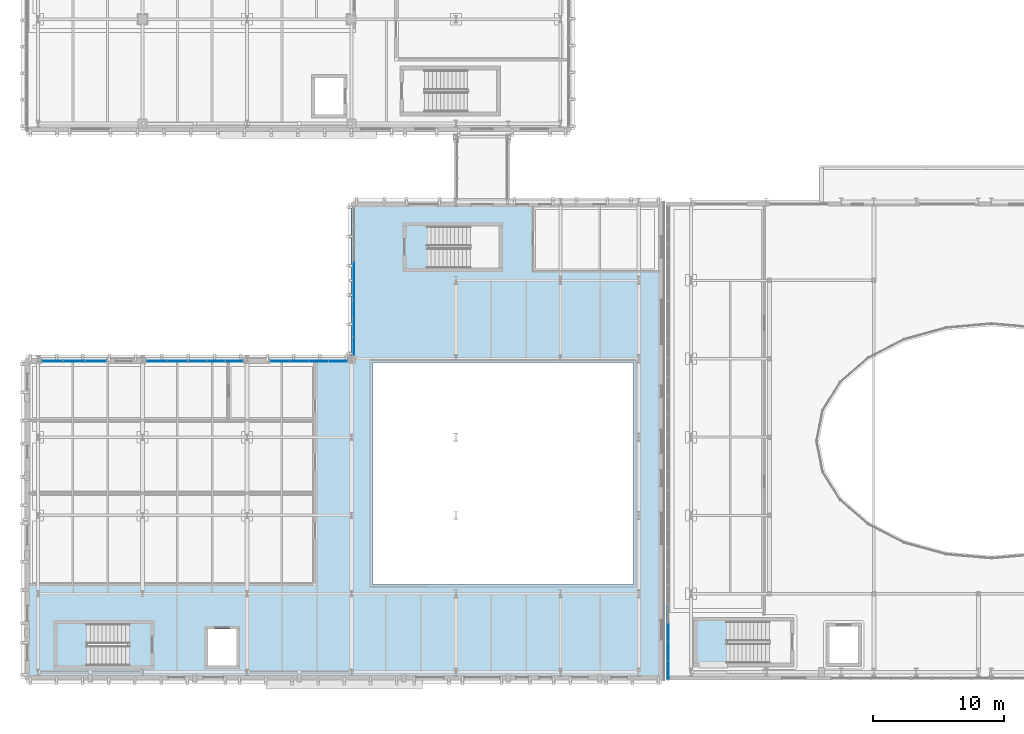
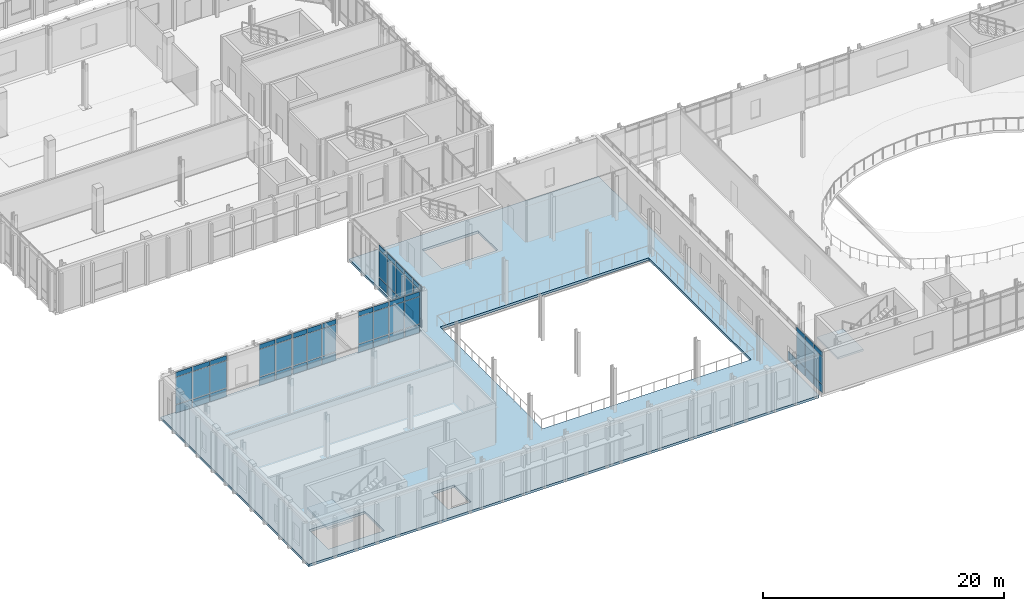
# One storey, part 47 of 100: 61 plates, 3 slabs, 8 elements without a shape of their own.
"""IFC4 building model written with IfcOpenShell, lengths in metres."""

from ifc_helpers import new_model, si_unit, direction, frame, origin, origin_2d, place, context, subcontext, project, spatial, polyline, rectangle, outline, extrude, material, layer, layer_set, type_object, element, aggregate, save


model = new_model("IFC4")

# Units and contexts
model_context = context("Model", 3, precision=1e-05, world=origin(), true_north=direction((0.0, 1.0)))
body_context = subcontext(model_context, "Body", "Model", "MODEL_VIEW")
ifc_project = project(units=[si_unit("LENGTHUNIT", "METRE"), si_unit("AREAUNIT", "SQUARE_METRE"), si_unit("VOLUMEUNIT", "CUBIC_METRE"), si_unit("PLANEANGLEUNIT", "RADIAN"), si_unit("MASSUNIT", "GRAM", prefix="KILO")], contexts=[model_context])

# Site, building, storey
site_placement = place(None, origin())
site = spatial("IfcSite", under=ifc_project, at=site_placement, CompositionType="ELEMENT")
building_placement = place(site_placement, origin())
building = spatial("IfcBuilding", under=site, at=building_placement, Name="Cymarion Research Institute", CompositionType="ELEMENT")
storey_placement = place(building_placement, frame((0.0, 0.0, 4.800048828125)))
storey = spatial("IfcBuildingStorey", under=building, at=storey_placement, Name="L01", CompositionType="ELEMENT", Elevation=4.800048828125)

# Slab
ifc_material_1 = material(Name="Concrete C35/45", Category="concrete")
ifc_layer_1 = layer(ifc_material_1, 0.25)
ifc_layer_set_1 = layer_set([ifc_layer_1], Name="Concrete C35/45")
slab_type_1 = type_object("IfcSlabType", Name="COMPOSITE FLOOR SLAB SL-FL250 250MM", PredefinedType="FLOOR", material=ifc_layer_set_1)
slab_1_placement = place(storey_placement, frame((0.0, 0.0, -0.25)))
element("IfcSlab", 1, at=slab_1_placement, inside=storey, type_object=slab_type_1, Name="L01 V3 floor slab", PredefinedType="FLOOR", context=body_context, shape_type="SweptSolid", body=[
    extrude(outline(polyline([(5.60009765625, 4.89990234375), (54.5, 4.89990234375), (54.5, 41.5), (30.60009765625, 41.5), (30.60009765625, 29.5), (5.60009765625, 29.5), (5.60009765625, 4.89990234375)]), holes=[polyline([(13.4599609375, 9.199951171875), (8.10009765625, 9.199951171875), (8.10009765625, 6.0), (13.4599609375, 6.0), (13.4599609375, 9.199951171875)]), polyline([(19.60009765625, 6.0), (21.800048828125, 6.0), (21.800048828125, 8.800048828125), (19.60009765625, 8.800048828125), (19.60009765625, 6.0)]), polyline([(36.5400390625, 36.449951171875), (41.89990234375, 36.449951171875), (41.89990234375, 39.64990234375), (36.5400390625, 39.64990234375), (36.5400390625, 36.449951171875)]), polyline([(32.199951171875, 12.199951171875), (52.199951171875, 12.199951171875), (52.199951171875, 29.199951171875), (32.199951171875, 29.199951171875), (32.199951171875, 12.199951171875)])]), origin(), (0.0, 0.0, 1.0), 0.25),
])

# Curtain wall, plates
ifc_material_2 = material(Name="Anodised aluminium unitised curtain wall with Low-E glazing", Category="aluminium")
curtain_wall_type_1 = type_object("IfcCurtainWallType", Name="UNITISED CURTAIN WALL CW14 7260X4250", PredefinedType="NOTDEFINED", material=ifc_material_2)
curtain_wall_1_placement = place(storey_placement, origin())
curtain_wall_1 = element("IfcCurtainWall", 2, at=curtain_wall_1_placement, inside=storey, type_object=curtain_wall_type_1, Name="L01 V2 unitised curtain wall CW14 #33", PredefinedType="NOTDEFINED")
ifc_material_3 = material(Name="Insulated anodised aluminium spandrel panel", Category="aluminium")
ifc_layer_2 = layer(ifc_material_3, 0.06005859375)
ifc_layer_set_2 = layer_set([ifc_layer_2], Name="Insulated anodised aluminium spandrel panel")
plate_type_1 = type_object("IfcPlateType", Name="INSULATED ALUMINIUM SPANDREL PANEL SP01 60MM", PredefinedType="SHEET", material=ifc_layer_set_2)
plate_1_placement = place(storey_placement, frame((54.860107421875, 9.979248046875, 0.059814453125), z_axis=(0.0, 0.0, 1.0), x_axis=(0.0, -1.0, 0.0)))
plate_1 = element("IfcPlate", 3, at=plate_1_placement, type_object=plate_type_1, Name="CW14 panel 2.1", PredefinedType="SHEET", context=body_context, shape_type="SweptSolid", body=[
    extrude(rectangle(XDim=1.39111328125, YDim=0.06005859375, at=origin_2d()), origin(), (0.0, 0.0, 1.0), 0.81005859375),
])
plate_2_placement = place(storey_placement, frame((54.860107421875, 8.528076171875, 0.059814453125), z_axis=(0.0, 0.0, 1.0), x_axis=(0.0, -1.0, 0.0)))
plate_2 = element("IfcPlate", 4, at=plate_2_placement, type_object=plate_type_1, Name="CW14 panel 3.1", PredefinedType="SHEET", context=body_context, shape_type="SweptSolid", body=[
    extrude(rectangle(XDim=1.39111328125, YDim=0.06005859375, at=origin_2d()), origin(), (0.0, 0.0, 1.0), 0.81005859375),
])
plate_3_placement = place(storey_placement, frame((54.860107421875, 8.528076171875, 3.72998046875), z_axis=(0.0, 0.0, 1.0), x_axis=(0.0, -1.0, 0.0)))
plate_3 = element("IfcPlate", 5, at=plate_3_placement, type_object=plate_type_1, Name="CW14 panel 3.3", PredefinedType="SHEET", context=body_context, shape_type="SweptSolid", body=[
    extrude(rectangle(XDim=1.39111328125, YDim=0.06005859375, at=origin_2d()), origin(), (0.0, 0.0, 1.0), 0.4599609375),
])
plate_4_placement = place(storey_placement, frame((54.860107421875, 7.076904296875, 0.059814453125), z_axis=(0.0, 0.0, 1.0), x_axis=(0.0, -1.0, 0.0)))
plate_4 = element("IfcPlate", 6, at=plate_4_placement, type_object=plate_type_1, Name="CW14 panel 4.1", PredefinedType="SHEET", context=body_context, shape_type="SweptSolid", body=[
    extrude(rectangle(XDim=1.39111328125, YDim=0.06005859375, at=origin_2d()), origin(), (0.0, 0.0, 1.0), 0.81005859375),
])
plate_5_placement = place(storey_placement, frame((54.860107421875, 7.076904296875, 3.72998046875), z_axis=(0.0, 0.0, 1.0), x_axis=(0.0, -1.0, 0.0)))
plate_5 = element("IfcPlate", 7, at=plate_5_placement, type_object=plate_type_1, Name="CW14 panel 4.3", PredefinedType="SHEET", context=body_context, shape_type="SweptSolid", body=[
    extrude(rectangle(XDim=1.39111328125, YDim=0.06005859375, at=origin_2d()), origin(), (0.0, 0.0, 1.0), 0.4599609375),
])
plate_6_placement = place(storey_placement, frame((54.860107421875, 5.640625, 0.059814453125), z_axis=(0.0, 0.0, 1.0), x_axis=(0.0, -1.0, 0.0)))
plate_6 = element("IfcPlate", 8, at=plate_6_placement, type_object=plate_type_1, Name="CW14 panel 5.1", PredefinedType="SHEET", context=body_context, shape_type="SweptSolid", body=[
    extrude(rectangle(XDim=1.361083984375, YDim=0.06005859375, at=origin_2d()), origin(), (0.0, 0.0, 1.0), 0.81005859375),
])
plate_7_placement = place(storey_placement, frame((54.860107421875, 5.640625, 3.72998046875), z_axis=(0.0, 0.0, 1.0), x_axis=(0.0, -1.0, 0.0)))
plate_7 = element("IfcPlate", 9, at=plate_7_placement, type_object=plate_type_1, Name="CW14 panel 5.3", PredefinedType="SHEET", context=body_context, shape_type="SweptSolid", body=[
    extrude(rectangle(XDim=1.361083984375, YDim=0.06005859375, at=origin_2d()), origin(), (0.0, 0.0, 1.0), 0.4599609375),
])

curtain_wall_type_2 = type_object("IfcCurtainWallType", Name="UNITISED CURTAIN WALL CW15 11380X4250", PredefinedType="NOTDEFINED", material=ifc_material_2)
curtain_wall_2_placement = place(storey_placement, origin())
curtain_wall_2 = element("IfcCurtainWall", 10, at=curtain_wall_2_placement, inside=storey, type_object=curtain_wall_type_2, Name="L01 V3 unitised curtain wall CW15 #34", PredefinedType="NOTDEFINED")
plate_8_placement = place(storey_placement, frame((30.7900390625, 36.16015625, 0.059814453125), z_axis=(0.0, 0.0, 1.0), x_axis=(0.0, -1.0, 0.0)))
plate_8 = element("IfcPlate", 11, at=plate_8_placement, type_object=plate_type_1, Name="CW15 panel 4.1", PredefinedType="SHEET", context=body_context, shape_type="SweptSolid", body=[
    extrude(rectangle(XDim=1.3623046875, YDim=0.06005859375, at=origin_2d()), origin(), (0.0, 0.0, 1.0), 0.81005859375),
])
plate_9_placement = place(storey_placement, frame((30.7900390625, 36.16015625, 3.72998046875), z_axis=(0.0, 0.0, 1.0), x_axis=(0.0, -1.0, 0.0)))
plate_9 = element("IfcPlate", 12, at=plate_9_placement, type_object=plate_type_1, Name="CW15 panel 4.3", PredefinedType="SHEET", context=body_context, shape_type="SweptSolid", body=[
    extrude(rectangle(XDim=1.3623046875, YDim=0.06005859375, at=origin_2d()), origin(), (0.0, 0.0, 1.0), 0.4599609375),
])
plate_10_placement = place(storey_placement, frame((30.7900390625, 34.73779296875, 0.059814453125), z_axis=(0.0, 0.0, 1.0), x_axis=(0.0, -1.0, 0.0)))
plate_10 = element("IfcPlate", 13, at=plate_10_placement, type_object=plate_type_1, Name="CW15 panel 5.1", PredefinedType="SHEET", context=body_context, shape_type="SweptSolid", body=[
    extrude(rectangle(XDim=1.3623046875, YDim=0.06005859375, at=origin_2d()), origin(), (0.0, 0.0, 1.0), 0.81005859375),
])
plate_11_placement = place(storey_placement, frame((30.7900390625, 34.73779296875, 3.72998046875), z_axis=(0.0, 0.0, 1.0), x_axis=(0.0, -1.0, 0.0)))
plate_11 = element("IfcPlate", 14, at=plate_11_placement, type_object=plate_type_1, Name="CW15 panel 5.3", PredefinedType="SHEET", context=body_context, shape_type="SweptSolid", body=[
    extrude(rectangle(XDim=1.3623046875, YDim=0.06005859375, at=origin_2d()), origin(), (0.0, 0.0, 1.0), 0.4599609375),
])
plate_12_placement = place(storey_placement, frame((30.7900390625, 33.315673828125, 0.059814453125), z_axis=(0.0, 0.0, 1.0), x_axis=(0.0, -1.0, 0.0)))
plate_12 = element("IfcPlate", 15, at=plate_12_placement, type_object=plate_type_1, Name="CW15 panel 6.1", PredefinedType="SHEET", context=body_context, shape_type="SweptSolid", body=[
    extrude(rectangle(XDim=1.3623046875, YDim=0.06005859375, at=origin_2d()), origin(), (0.0, 0.0, 1.0), 0.81005859375),
])
plate_13_placement = place(storey_placement, frame((30.7900390625, 33.315673828125, 3.72998046875), z_axis=(0.0, 0.0, 1.0), x_axis=(0.0, -1.0, 0.0)))
plate_13 = element("IfcPlate", 16, at=plate_13_placement, type_object=plate_type_1, Name="CW15 panel 6.3", PredefinedType="SHEET", context=body_context, shape_type="SweptSolid", body=[
    extrude(rectangle(XDim=1.3623046875, YDim=0.06005859375, at=origin_2d()), origin(), (0.0, 0.0, 1.0), 0.4599609375),
])
plate_14_placement = place(storey_placement, frame((30.7900390625, 31.893310546875, 0.059814453125), z_axis=(0.0, 0.0, 1.0), x_axis=(0.0, -1.0, 0.0)))
plate_14 = element("IfcPlate", 17, at=plate_14_placement, type_object=plate_type_1, Name="CW15 panel 7.1", PredefinedType="SHEET", context=body_context, shape_type="SweptSolid", body=[
    extrude(rectangle(XDim=1.3623046875, YDim=0.06005859375, at=origin_2d()), origin(), (0.0, 0.0, 1.0), 0.81005859375),
])
plate_15_placement = place(storey_placement, frame((30.7900390625, 31.893310546875, 3.72998046875), z_axis=(0.0, 0.0, 1.0), x_axis=(0.0, -1.0, 0.0)))
plate_15 = element("IfcPlate", 18, at=plate_15_placement, type_object=plate_type_1, Name="CW15 panel 7.3", PredefinedType="SHEET", context=body_context, shape_type="SweptSolid", body=[
    extrude(rectangle(XDim=1.3623046875, YDim=0.06005859375, at=origin_2d()), origin(), (0.0, 0.0, 1.0), 0.4599609375),
])
plate_16_placement = place(storey_placement, frame((30.7900390625, 30.486083984375, 0.059814453125), z_axis=(0.0, 0.0, 1.0), x_axis=(0.0, -1.0, 0.0)))
plate_16 = element("IfcPlate", 19, at=plate_16_placement, type_object=plate_type_1, Name="CW15 panel 8.1", PredefinedType="SHEET", context=body_context, shape_type="SweptSolid", body=[
    extrude(rectangle(XDim=1.332275390625, YDim=0.06005859375, at=origin_2d()), origin(), (0.0, 0.0, 1.0), 0.81005859375),
])
plate_17_placement = place(storey_placement, frame((30.7900390625, 30.486083984375, 3.72998046875), z_axis=(0.0, 0.0, 1.0), x_axis=(0.0, -1.0, 0.0)))
plate_17 = element("IfcPlate", 20, at=plate_17_placement, type_object=plate_type_1, Name="CW15 panel 8.3", PredefinedType="SHEET", context=body_context, shape_type="SweptSolid", body=[
    extrude(rectangle(XDim=1.332275390625, YDim=0.06005859375, at=origin_2d()), origin(), (0.0, 0.0, 1.0), 0.4599609375),
])

curtain_wall_type_3 = type_object("IfcCurtainWallType", Name="UNITISED CURTAIN WALL CW16 5990X4250", PredefinedType="NOTDEFINED", material=ifc_material_2)
curtain_wall_3_placement = place(storey_placement, origin())
curtain_wall_3 = element("IfcCurtainWall", 21, at=curtain_wall_3_placement, inside=storey, type_object=curtain_wall_type_3, Name="L01 V3 unitised curtain wall CW16 #35", PredefinedType="NOTDEFINED")
plate_18_placement = place(storey_placement, frame((29.576171875, 29.31005859375, 0.059814453125), z_axis=(0.0, 0.0, 1.0), x_axis=(-1.0, 0.0, 0.0)))
plate_18 = element("IfcPlate", 22, at=plate_18_placement, type_object=plate_type_1, Name="CW16 panel 1.1", PredefinedType="SHEET", context=body_context, shape_type="SweptSolid", body=[
    extrude(rectangle(XDim=1.407470703125, YDim=0.06005859375, at=origin_2d()), origin(), (0.0, 0.0, 1.0), 0.81005859375),
])
plate_19_placement = place(storey_placement, frame((29.576171875, 29.31005859375, 3.72998046875), z_axis=(0.0, 0.0, 1.0), x_axis=(-1.0, 0.0, 0.0)))
plate_19 = element("IfcPlate", 23, at=plate_19_placement, type_object=plate_type_1, Name="CW16 panel 1.3", PredefinedType="SHEET", context=body_context, shape_type="SweptSolid", body=[
    extrude(rectangle(XDim=1.407470703125, YDim=0.06005859375, at=origin_2d()), origin(), (0.0, 0.0, 1.0), 0.4599609375),
])
plate_20_placement = place(storey_placement, frame((28.09375, 29.31005859375, 0.059814453125), z_axis=(0.0, 0.0, 1.0), x_axis=(-1.0, 0.0, 0.0)))
plate_20 = element("IfcPlate", 24, at=plate_20_placement, type_object=plate_type_1, Name="CW16 panel 2.1", PredefinedType="SHEET", context=body_context, shape_type="SweptSolid", body=[
    extrude(rectangle(XDim=1.4375, YDim=0.06005859375, at=origin_2d()), origin(), (0.0, 0.0, 1.0), 0.81005859375),
])
plate_21_placement = place(storey_placement, frame((28.09375, 29.31005859375, 3.72998046875), z_axis=(0.0, 0.0, 1.0), x_axis=(-1.0, 0.0, 0.0)))
plate_21 = element("IfcPlate", 25, at=plate_21_placement, type_object=plate_type_1, Name="CW16 panel 2.3", PredefinedType="SHEET", context=body_context, shape_type="SweptSolid", body=[
    extrude(rectangle(XDim=1.4375, YDim=0.06005859375, at=origin_2d()), origin(), (0.0, 0.0, 1.0), 0.4599609375),
])
plate_22_placement = place(storey_placement, frame((26.59619140625, 29.31005859375, 0.059814453125), z_axis=(0.0, 0.0, 1.0), x_axis=(-1.0, 0.0, 0.0)))
plate_22 = element("IfcPlate", 26, at=plate_22_placement, type_object=plate_type_1, Name="CW16 panel 3.1", PredefinedType="SHEET", context=body_context, shape_type="SweptSolid", body=[
    extrude(rectangle(XDim=1.4375, YDim=0.06005859375, at=origin_2d()), origin(), (0.0, 0.0, 1.0), 0.81005859375),
])
plate_23_placement = place(storey_placement, frame((26.59619140625, 29.31005859375, 3.72998046875), z_axis=(0.0, 0.0, 1.0), x_axis=(-1.0, 0.0, 0.0)))
plate_23 = element("IfcPlate", 27, at=plate_23_placement, type_object=plate_type_1, Name="CW16 panel 3.3", PredefinedType="SHEET", context=body_context, shape_type="SweptSolid", body=[
    extrude(rectangle(XDim=1.4375, YDim=0.06005859375, at=origin_2d()), origin(), (0.0, 0.0, 1.0), 0.4599609375),
])
plate_24_placement = place(storey_placement, frame((25.11376953125, 29.31005859375, 0.059814453125), z_axis=(0.0, 0.0, 1.0), x_axis=(-1.0, 0.0, 0.0)))
plate_24 = element("IfcPlate", 28, at=plate_24_placement, type_object=plate_type_1, Name="CW16 panel 4.1", PredefinedType="SHEET", context=body_context, shape_type="SweptSolid", body=[
    extrude(rectangle(XDim=1.407470703125, YDim=0.06005859375, at=origin_2d()), origin(), (0.0, 0.0, 1.0), 0.81005859375),
])
plate_25_placement = place(storey_placement, frame((25.11376953125, 29.31005859375, 3.72998046875), z_axis=(0.0, 0.0, 1.0), x_axis=(-1.0, 0.0, 0.0)))
plate_25 = element("IfcPlate", 29, at=plate_25_placement, type_object=plate_type_1, Name="CW16 panel 4.3", PredefinedType="SHEET", context=body_context, shape_type="SweptSolid", body=[
    extrude(rectangle(XDim=1.407470703125, YDim=0.06005859375, at=origin_2d()), origin(), (0.0, 0.0, 1.0), 0.4599609375),
])

curtain_wall_type_4 = type_object("IfcCurtainWallType", Name="UNITISED CURTAIN WALL CW17 4240X4250", PredefinedType="NOTDEFINED", material=ifc_material_2)
curtain_wall_4_placement = place(storey_placement, origin())
curtain_wall_4 = element("IfcCurtainWall", 30, at=curtain_wall_4_placement, inside=storey, type_object=curtain_wall_type_4, Name="L01 V3 unitised curtain wall CW17 #36", PredefinedType="NOTDEFINED")
plate_26_placement = place(storey_placement, frame((21.618408203125, 29.31005859375, 0.059814453125), z_axis=(0.0, 0.0, 1.0), x_axis=(-1.0, 0.0, 0.0)))
plate_26 = element("IfcPlate", 31, at=plate_26_placement, type_object=plate_type_1, Name="CW17 panel 1.1", PredefinedType="SHEET", context=body_context, shape_type="SweptSolid", body=[
    extrude(rectangle(XDim=1.3232421875, YDim=0.06005859375, at=origin_2d()), origin(), (0.0, 0.0, 1.0), 0.81005859375),
])
plate_27_placement = place(storey_placement, frame((21.618408203125, 29.31005859375, 3.72998046875), z_axis=(0.0, 0.0, 1.0), x_axis=(-1.0, 0.0, 0.0)))
plate_27 = element("IfcPlate", 32, at=plate_27_placement, type_object=plate_type_1, Name="CW17 panel 1.3", PredefinedType="SHEET", context=body_context, shape_type="SweptSolid", body=[
    extrude(rectangle(XDim=1.3232421875, YDim=0.06005859375, at=origin_2d()), origin(), (0.0, 0.0, 1.0), 0.4599609375),
])
plate_28_placement = place(storey_placement, frame((20.219970703125, 29.31005859375, 0.059814453125), z_axis=(0.0, 0.0, 1.0), x_axis=(-1.0, 0.0, 0.0)))
plate_28 = element("IfcPlate", 33, at=plate_28_placement, type_object=plate_type_1, Name="CW17 panel 2.1", PredefinedType="SHEET", context=body_context, shape_type="SweptSolid", body=[
    extrude(rectangle(XDim=1.353271484375, YDim=0.06005859375, at=origin_2d()), origin(), (0.0, 0.0, 1.0), 0.81005859375),
])
plate_29_placement = place(storey_placement, frame((20.219970703125, 29.31005859375, 3.72998046875), z_axis=(0.0, 0.0, 1.0), x_axis=(-1.0, 0.0, 0.0)))
plate_29 = element("IfcPlate", 34, at=plate_29_placement, type_object=plate_type_1, Name="CW17 panel 2.3", PredefinedType="SHEET", context=body_context, shape_type="SweptSolid", body=[
    extrude(rectangle(XDim=1.353271484375, YDim=0.06005859375, at=origin_2d()), origin(), (0.0, 0.0, 1.0), 0.4599609375),
])
plate_30_placement = place(storey_placement, frame((18.82177734375, 29.31005859375, 0.059814453125), z_axis=(0.0, 0.0, 1.0), x_axis=(-1.0, 0.0, 0.0)))
plate_30 = element("IfcPlate", 35, at=plate_30_placement, type_object=plate_type_1, Name="CW17 panel 3.1", PredefinedType="SHEET", context=body_context, shape_type="SweptSolid", body=[
    extrude(rectangle(XDim=1.3232421875, YDim=0.06005859375, at=origin_2d()), origin(), (0.0, 0.0, 1.0), 0.81005859375),
])
plate_31_placement = place(storey_placement, frame((18.82177734375, 29.31005859375, 3.72998046875), z_axis=(0.0, 0.0, 1.0), x_axis=(-1.0, 0.0, 0.0)))
plate_31 = element("IfcPlate", 36, at=plate_31_placement, type_object=plate_type_1, Name="CW17 panel 3.3", PredefinedType="SHEET", context=body_context, shape_type="SweptSolid", body=[
    extrude(rectangle(XDim=1.3232421875, YDim=0.06005859375, at=origin_2d()), origin(), (0.0, 0.0, 1.0), 0.4599609375),
])

curtain_wall_type_5 = type_object("IfcCurtainWallType", Name="UNITISED CURTAIN WALL CW18 3240X4250", PredefinedType="NOTDEFINED", material=ifc_material_2)
curtain_wall_5_placement = place(storey_placement, origin())
curtain_wall_5 = element("IfcCurtainWall", 37, at=curtain_wall_5_placement, inside=storey, type_object=curtain_wall_type_5, Name="L01 V3 unitised curtain wall CW18 #37", PredefinedType="NOTDEFINED")
plate_32_placement = place(storey_placement, frame((17.27490234375, 29.31005859375, 0.059814453125), z_axis=(0.0, 0.0, 1.0), x_axis=(-1.0, 0.0, 0.0)))
plate_32 = element("IfcPlate", 38, at=plate_32_placement, type_object=plate_type_1, Name="CW18 panel 1.1", PredefinedType="SHEET", context=body_context, shape_type="SweptSolid", body=[
    extrude(rectangle(XDim=1.530029296875, YDim=0.06005859375, at=origin_2d()), origin(), (0.0, 0.0, 1.0), 0.81005859375),
])
plate_33_placement = place(storey_placement, frame((17.27490234375, 29.31005859375, 3.72998046875), z_axis=(0.0, 0.0, 1.0), x_axis=(-1.0, 0.0, 0.0)))
plate_33 = element("IfcPlate", 39, at=plate_33_placement, type_object=plate_type_1, Name="CW18 panel 1.3", PredefinedType="SHEET", context=body_context, shape_type="SweptSolid", body=[
    extrude(rectangle(XDim=1.530029296875, YDim=0.06005859375, at=origin_2d()), origin(), (0.0, 0.0, 1.0), 0.4599609375),
])
plate_34_placement = place(storey_placement, frame((15.68505859375, 29.31005859375, 0.059814453125), z_axis=(0.0, 0.0, 1.0), x_axis=(-1.0, 0.0, 0.0)))
plate_34 = element("IfcPlate", 40, at=plate_34_placement, type_object=plate_type_1, Name="CW18 panel 2.1", PredefinedType="SHEET", context=body_context, shape_type="SweptSolid", body=[
    extrude(rectangle(XDim=1.530029296875, YDim=0.06005859375, at=origin_2d()), origin(), (0.0, 0.0, 1.0), 0.81005859375),
])
plate_35_placement = place(storey_placement, frame((15.68505859375, 29.31005859375, 3.72998046875), z_axis=(0.0, 0.0, 1.0), x_axis=(-1.0, 0.0, 0.0)))
plate_35 = element("IfcPlate", 41, at=plate_35_placement, type_object=plate_type_1, Name="CW18 panel 2.3", PredefinedType="SHEET", context=body_context, shape_type="SweptSolid", body=[
    extrude(rectangle(XDim=1.530029296875, YDim=0.06005859375, at=origin_2d()), origin(), (0.0, 0.0, 1.0), 0.4599609375),
])

curtain_wall_type_6 = type_object("IfcCurtainWallType", Name="UNITISED CURTAIN WALL CW19 4990X4250", PredefinedType="NOTDEFINED", material=ifc_material_2)
curtain_wall_6_placement = place(storey_placement, origin())
curtain_wall_6 = element("IfcCurtainWall", 42, at=curtain_wall_6_placement, inside=storey, type_object=curtain_wall_type_6, Name="L01 V3 unitised curtain wall CW19 #38", PredefinedType="NOTDEFINED")
plate_36_placement = place(storey_placement, frame((11.00341796875, 29.31005859375, 0.059814453125), z_axis=(0.0, 0.0, 1.0), x_axis=(-1.0, 0.0, 0.0)))
plate_36 = element("IfcPlate", 43, at=plate_36_placement, type_object=plate_type_1, Name="CW19 panel 1.1", PredefinedType="SHEET", context=body_context, shape_type="SweptSolid", body=[
    extrude(rectangle(XDim=1.5732421875, YDim=0.06005859375, at=origin_2d()), origin(), (0.0, 0.0, 1.0), 0.81005859375),
])
plate_37_placement = place(storey_placement, frame((11.00341796875, 29.31005859375, 3.72998046875), z_axis=(0.0, 0.0, 1.0), x_axis=(-1.0, 0.0, 0.0)))
plate_37 = element("IfcPlate", 44, at=plate_37_placement, type_object=plate_type_1, Name="CW19 panel 1.3", PredefinedType="SHEET", context=body_context, shape_type="SweptSolid", body=[
    extrude(rectangle(XDim=1.5732421875, YDim=0.06005859375, at=origin_2d()), origin(), (0.0, 0.0, 1.0), 0.4599609375),
])
plate_38_placement = place(storey_placement, frame((9.35498046875, 29.31005859375, 0.059814453125), z_axis=(0.0, 0.0, 1.0), x_axis=(-1.0, 0.0, 0.0)))
plate_38 = element("IfcPlate", 45, at=plate_38_placement, type_object=plate_type_1, Name="CW19 panel 2.1", PredefinedType="SHEET", context=body_context, shape_type="SweptSolid", body=[
    extrude(rectangle(XDim=1.603271484375, YDim=0.06005859375, at=origin_2d()), origin(), (0.0, 0.0, 1.0), 0.81005859375),
])
plate_39_placement = place(storey_placement, frame((9.35498046875, 29.31005859375, 3.72998046875), z_axis=(0.0, 0.0, 1.0), x_axis=(-1.0, 0.0, 0.0)))
plate_39 = element("IfcPlate", 46, at=plate_39_placement, type_object=plate_type_1, Name="CW19 panel 2.3", PredefinedType="SHEET", context=body_context, shape_type="SweptSolid", body=[
    extrude(rectangle(XDim=1.603271484375, YDim=0.06005859375, at=origin_2d()), origin(), (0.0, 0.0, 1.0), 0.4599609375),
])
plate_40_placement = place(storey_placement, frame((7.706787109375, 29.31005859375, 0.059814453125), z_axis=(0.0, 0.0, 1.0), x_axis=(-1.0, 0.0, 0.0)))
plate_40 = element("IfcPlate", 47, at=plate_40_placement, type_object=plate_type_1, Name="CW19 panel 3.1", PredefinedType="SHEET", context=body_context, shape_type="SweptSolid", body=[
    extrude(rectangle(XDim=1.5732421875, YDim=0.06005859375, at=origin_2d()), origin(), (0.0, 0.0, 1.0), 0.81005859375),
])
plate_41_placement = place(storey_placement, frame((7.706787109375, 29.31005859375, 3.72998046875), z_axis=(0.0, 0.0, 1.0), x_axis=(-1.0, 0.0, 0.0)))
plate_41 = element("IfcPlate", 48, at=plate_41_placement, type_object=plate_type_1, Name="CW19 panel 3.3", PredefinedType="SHEET", context=body_context, shape_type="SweptSolid", body=[
    extrude(rectangle(XDim=1.5732421875, YDim=0.06005859375, at=origin_2d()), origin(), (0.0, 0.0, 1.0), 0.4599609375),
])

# Stair, slab
stair_type = type_object("IfcStairType", Name="REINFORCED CONCRETE DOGLEG STAIR STR-4500", PredefinedType="HALF_TURN_STAIR", material=ifc_material_1)
stair_1_placement = place(storey_placement, origin())
stair_1 = element("IfcStair", 49, at=stair_1_placement, inside=storey, type_object=stair_type, Name="L01 Core C3 Smoke-Proof Exit Stair ST3", PredefinedType="HALF_TURN_STAIR")
ifc_layer_3 = layer(ifc_material_1, 0.199951171875)
ifc_layer_set_3 = layer_set([ifc_layer_3], Name="Concrete C35/45")
slab_type_2 = type_object("IfcSlabType", Name="REINFORCED CONCRETE STAIR LANDING LDG200", PredefinedType="LANDING", material=ifc_layer_set_3)
slab_2_placement = place(storey_placement, frame((0.0, 0.0, 2.050048828125)))
slab_2 = element("IfcSlab", 50, at=slab_2_placement, type_object=slab_type_2, Name="ST3 landing 1", PredefinedType="LANDING", context=body_context, shape_type="SweptSolid", body=[
    extrude(outline(polyline([(59.419921875, 9.52001953125), (59.419921875, 6.080078125), (56.97998046875, 6.080078125), (56.97998046875, 9.52001953125), (59.419921875, 9.52001953125)])), origin(), (0.0, 0.0, 1.0), 0.199951171875),
])
aggregate(stair_1, [slab_2])

stair_2_placement = place(storey_placement, origin())
stair_2 = element("IfcStair", 51, at=stair_2_placement, inside=storey, type_object=stair_type, Name="L01 Core C5 Smoke-Proof Exit Stair ST5", PredefinedType="HALF_TURN_STAIR")
slab_3_placement = place(storey_placement, frame((0.0, 0.0, 2.050048828125)))
slab_3 = element("IfcSlab", 52, at=slab_3_placement, type_object=slab_type_2, Name="ST5 landing 1", PredefinedType="LANDING", context=body_context, shape_type="SweptSolid", body=[
    extrude(outline(polyline([(10.419921875, 9.320068359375), (10.419921875, 5.8798828125), (7.97998046875, 5.8798828125), (7.97998046875, 9.320068359375), (10.419921875, 9.320068359375)])), origin(), (0.0, 0.0, 1.0), 0.199951171875),
])
aggregate(stair_2, [slab_3])

# Plate
ifc_material_4 = material(Name="Low-E double solar-control glazing", Category="glass")
ifc_layer_4 = layer(ifc_material_4, 0.035888671875)
ifc_layer_set_4 = layer_set([ifc_layer_4], Name="Low-E double solar-control glazing")
plate_type_2 = type_object("IfcPlateType", Name="SOLAR CONTROL GLAZED VISION PANEL GP01 36MM", PredefinedType="CURTAIN_PANEL", material=ifc_layer_set_4)
plate_42_placement = place(storey_placement, frame((54.860107421875, 8.528076171875, 0.93017578125), z_axis=(0.0, 0.0, 1.0), x_axis=(0.0, -1.0, 0.0)))
plate_42 = element("IfcPlate", 53, at=plate_42_placement, type_object=plate_type_2, Name="CW14 panel 3.2", PredefinedType="CURTAIN_PANEL", context=body_context, shape_type="SweptSolid", body=[
    extrude(rectangle(XDim=1.39111328125, YDim=0.035888671875, at=origin_2d()), origin(), (0.0, 0.0, 1.0), 2.739990234375),
])

plate_43_placement = place(storey_placement, frame((54.860107421875, 7.076904296875, 0.93017578125), z_axis=(0.0, 0.0, 1.0), x_axis=(0.0, -1.0, 0.0)))
plate_43 = element("IfcPlate", 54, at=plate_43_placement, type_object=plate_type_2, Name="CW14 panel 4.2", PredefinedType="CURTAIN_PANEL", context=body_context, shape_type="SweptSolid", body=[
    extrude(rectangle(XDim=1.39111328125, YDim=0.035888671875, at=origin_2d()), origin(), (0.0, 0.0, 1.0), 2.739990234375),
])

plate_44_placement = place(storey_placement, frame((54.860107421875, 5.640625, 0.93017578125), z_axis=(0.0, 0.0, 1.0), x_axis=(0.0, -1.0, 0.0)))
plate_44 = element("IfcPlate", 55, at=plate_44_placement, type_object=plate_type_2, Name="CW14 panel 5.2", PredefinedType="CURTAIN_PANEL", context=body_context, shape_type="SweptSolid", body=[
    extrude(rectangle(XDim=1.361083984375, YDim=0.035888671875, at=origin_2d()), origin(), (0.0, 0.0, 1.0), 2.739990234375),
])

aggregate(curtain_wall_1, [plate_1, plate_2, plate_42, plate_3, plate_4, plate_43, plate_5, plate_6, plate_44, plate_7])

plate_45_placement = place(storey_placement, frame((30.7900390625, 36.16015625, 0.93017578125), z_axis=(0.0, 0.0, 1.0), x_axis=(0.0, -1.0, 0.0)))
plate_45 = element("IfcPlate", 56, at=plate_45_placement, type_object=plate_type_2, Name="CW15 panel 4.2", PredefinedType="CURTAIN_PANEL", context=body_context, shape_type="SweptSolid", body=[
    extrude(rectangle(XDim=1.3623046875, YDim=0.035888671875, at=origin_2d()), origin(), (0.0, 0.0, 1.0), 2.739990234375),
])

plate_46_placement = place(storey_placement, frame((30.7900390625, 34.73779296875, 0.93017578125), z_axis=(0.0, 0.0, 1.0), x_axis=(0.0, -1.0, 0.0)))
plate_46 = element("IfcPlate", 57, at=plate_46_placement, type_object=plate_type_2, Name="CW15 panel 5.2", PredefinedType="CURTAIN_PANEL", context=body_context, shape_type="SweptSolid", body=[
    extrude(rectangle(XDim=1.3623046875, YDim=0.035888671875, at=origin_2d()), origin(), (0.0, 0.0, 1.0), 2.739990234375),
])

plate_47_placement = place(storey_placement, frame((30.7900390625, 33.315673828125, 0.93017578125), z_axis=(0.0, 0.0, 1.0), x_axis=(0.0, -1.0, 0.0)))
plate_47 = element("IfcPlate", 58, at=plate_47_placement, type_object=plate_type_2, Name="CW15 panel 6.2", PredefinedType="CURTAIN_PANEL", context=body_context, shape_type="SweptSolid", body=[
    extrude(rectangle(XDim=1.3623046875, YDim=0.035888671875, at=origin_2d()), origin(), (0.0, 0.0, 1.0), 2.739990234375),
])

plate_48_placement = place(storey_placement, frame((30.7900390625, 31.893310546875, 0.93017578125), z_axis=(0.0, 0.0, 1.0), x_axis=(0.0, -1.0, 0.0)))
plate_48 = element("IfcPlate", 59, at=plate_48_placement, type_object=plate_type_2, Name="CW15 panel 7.2", PredefinedType="CURTAIN_PANEL", context=body_context, shape_type="SweptSolid", body=[
    extrude(rectangle(XDim=1.3623046875, YDim=0.035888671875, at=origin_2d()), origin(), (0.0, 0.0, 1.0), 2.739990234375),
])

plate_49_placement = place(storey_placement, frame((30.7900390625, 30.486083984375, 0.93017578125), z_axis=(0.0, 0.0, 1.0), x_axis=(0.0, -1.0, 0.0)))
plate_49 = element("IfcPlate", 60, at=plate_49_placement, type_object=plate_type_2, Name="CW15 panel 8.2", PredefinedType="CURTAIN_PANEL", context=body_context, shape_type="SweptSolid", body=[
    extrude(rectangle(XDim=1.332275390625, YDim=0.035888671875, at=origin_2d()), origin(), (0.0, 0.0, 1.0), 2.739990234375),
])

aggregate(curtain_wall_2, [plate_8, plate_45, plate_9, plate_10, plate_46, plate_11, plate_12, plate_47, plate_13, plate_14, plate_48, plate_15, plate_16, plate_49, plate_17])

plate_50_placement = place(storey_placement, frame((29.576171875, 29.31005859375, 0.93017578125), z_axis=(0.0, 0.0, 1.0), x_axis=(-1.0, 0.0, 0.0)))
plate_50 = element("IfcPlate", 61, at=plate_50_placement, type_object=plate_type_2, Name="CW16 panel 1.2", PredefinedType="CURTAIN_PANEL", context=body_context, shape_type="SweptSolid", body=[
    extrude(rectangle(XDim=1.407470703125, YDim=0.035888671875, at=origin_2d()), origin(), (0.0, 0.0, 1.0), 2.739990234375),
])

plate_51_placement = place(storey_placement, frame((28.09375, 29.31005859375, 0.93017578125), z_axis=(0.0, 0.0, 1.0), x_axis=(-1.0, 0.0, 0.0)))
plate_51 = element("IfcPlate", 62, at=plate_51_placement, type_object=plate_type_2, Name="CW16 panel 2.2", PredefinedType="CURTAIN_PANEL", context=body_context, shape_type="SweptSolid", body=[
    extrude(rectangle(XDim=1.4375, YDim=0.035888671875, at=origin_2d()), origin(), (0.0, 0.0, 1.0), 2.739990234375),
])

plate_52_placement = place(storey_placement, frame((26.59619140625, 29.31005859375, 0.93017578125), z_axis=(0.0, 0.0, 1.0), x_axis=(-1.0, 0.0, 0.0)))
plate_52 = element("IfcPlate", 63, at=plate_52_placement, type_object=plate_type_2, Name="CW16 panel 3.2", PredefinedType="CURTAIN_PANEL", context=body_context, shape_type="SweptSolid", body=[
    extrude(rectangle(XDim=1.4375, YDim=0.035888671875, at=origin_2d()), origin(), (0.0, 0.0, 1.0), 2.739990234375),
])

plate_53_placement = place(storey_placement, frame((25.11376953125, 29.31005859375, 0.93017578125), z_axis=(0.0, 0.0, 1.0), x_axis=(-1.0, 0.0, 0.0)))
plate_53 = element("IfcPlate", 64, at=plate_53_placement, type_object=plate_type_2, Name="CW16 panel 4.2", PredefinedType="CURTAIN_PANEL", context=body_context, shape_type="SweptSolid", body=[
    extrude(rectangle(XDim=1.407470703125, YDim=0.035888671875, at=origin_2d()), origin(), (0.0, 0.0, 1.0), 2.739990234375),
])

aggregate(curtain_wall_3, [plate_18, plate_50, plate_19, plate_20, plate_51, plate_21, plate_22, plate_52, plate_23, plate_24, plate_53, plate_25])

plate_54_placement = place(storey_placement, frame((21.618408203125, 29.31005859375, 0.93017578125), z_axis=(0.0, 0.0, 1.0), x_axis=(-1.0, 0.0, 0.0)))
plate_54 = element("IfcPlate", 65, at=plate_54_placement, type_object=plate_type_2, Name="CW17 panel 1.2", PredefinedType="CURTAIN_PANEL", context=body_context, shape_type="SweptSolid", body=[
    extrude(rectangle(XDim=1.3232421875, YDim=0.035888671875, at=origin_2d()), origin(), (0.0, 0.0, 1.0), 2.739990234375),
])

plate_55_placement = place(storey_placement, frame((20.219970703125, 29.31005859375, 0.93017578125), z_axis=(0.0, 0.0, 1.0), x_axis=(-1.0, 0.0, 0.0)))
plate_55 = element("IfcPlate", 66, at=plate_55_placement, type_object=plate_type_2, Name="CW17 panel 2.2", PredefinedType="CURTAIN_PANEL", context=body_context, shape_type="SweptSolid", body=[
    extrude(rectangle(XDim=1.353271484375, YDim=0.035888671875, at=origin_2d()), origin(), (0.0, 0.0, 1.0), 2.739990234375),
])

plate_56_placement = place(storey_placement, frame((18.82177734375, 29.31005859375, 0.93017578125), z_axis=(0.0, 0.0, 1.0), x_axis=(-1.0, 0.0, 0.0)))
plate_56 = element("IfcPlate", 67, at=plate_56_placement, type_object=plate_type_2, Name="CW17 panel 3.2", PredefinedType="CURTAIN_PANEL", context=body_context, shape_type="SweptSolid", body=[
    extrude(rectangle(XDim=1.3232421875, YDim=0.035888671875, at=origin_2d()), origin(), (0.0, 0.0, 1.0), 2.739990234375),
])

aggregate(curtain_wall_4, [plate_26, plate_54, plate_27, plate_28, plate_55, plate_29, plate_30, plate_56, plate_31])

plate_57_placement = place(storey_placement, frame((17.27490234375, 29.31005859375, 0.93017578125), z_axis=(0.0, 0.0, 1.0), x_axis=(-1.0, 0.0, 0.0)))
plate_57 = element("IfcPlate", 68, at=plate_57_placement, type_object=plate_type_2, Name="CW18 panel 1.2", PredefinedType="CURTAIN_PANEL", context=body_context, shape_type="SweptSolid", body=[
    extrude(rectangle(XDim=1.530029296875, YDim=0.035888671875, at=origin_2d()), origin(), (0.0, 0.0, 1.0), 2.739990234375),
])

plate_58_placement = place(storey_placement, frame((15.68505859375, 29.31005859375, 0.93017578125), z_axis=(0.0, 0.0, 1.0), x_axis=(-1.0, 0.0, 0.0)))
plate_58 = element("IfcPlate", 69, at=plate_58_placement, type_object=plate_type_2, Name="CW18 panel 2.2", PredefinedType="CURTAIN_PANEL", context=body_context, shape_type="SweptSolid", body=[
    extrude(rectangle(XDim=1.530029296875, YDim=0.035888671875, at=origin_2d()), origin(), (0.0, 0.0, 1.0), 2.739990234375),
])

aggregate(curtain_wall_5, [plate_32, plate_57, plate_33, plate_34, plate_58, plate_35])

plate_59_placement = place(storey_placement, frame((11.00341796875, 29.31005859375, 0.93017578125), z_axis=(0.0, 0.0, 1.0), x_axis=(-1.0, 0.0, 0.0)))
plate_59 = element("IfcPlate", 70, at=plate_59_placement, type_object=plate_type_2, Name="CW19 panel 1.2", PredefinedType="CURTAIN_PANEL", context=body_context, shape_type="SweptSolid", body=[
    extrude(rectangle(XDim=1.5732421875, YDim=0.035888671875, at=origin_2d()), origin(), (0.0, 0.0, 1.0), 2.739990234375),
])

plate_60_placement = place(storey_placement, frame((9.35498046875, 29.31005859375, 0.93017578125), z_axis=(0.0, 0.0, 1.0), x_axis=(-1.0, 0.0, 0.0)))
plate_60 = element("IfcPlate", 71, at=plate_60_placement, type_object=plate_type_2, Name="CW19 panel 2.2", PredefinedType="CURTAIN_PANEL", context=body_context, shape_type="SweptSolid", body=[
    extrude(rectangle(XDim=1.603271484375, YDim=0.035888671875, at=origin_2d()), origin(), (0.0, 0.0, 1.0), 2.739990234375),
])

plate_61_placement = place(storey_placement, frame((7.706787109375, 29.31005859375, 0.93017578125), z_axis=(0.0, 0.0, 1.0), x_axis=(-1.0, 0.0, 0.0)))
plate_61 = element("IfcPlate", 72, at=plate_61_placement, type_object=plate_type_2, Name="CW19 panel 3.2", PredefinedType="CURTAIN_PANEL", context=body_context, shape_type="SweptSolid", body=[
    extrude(rectangle(XDim=1.5732421875, YDim=0.035888671875, at=origin_2d()), origin(), (0.0, 0.0, 1.0), 2.739990234375),
])

aggregate(curtain_wall_6, [plate_36, plate_59, plate_37, plate_38, plate_60, plate_39, plate_40, plate_61, plate_41])

save(model, "model.ifc")
